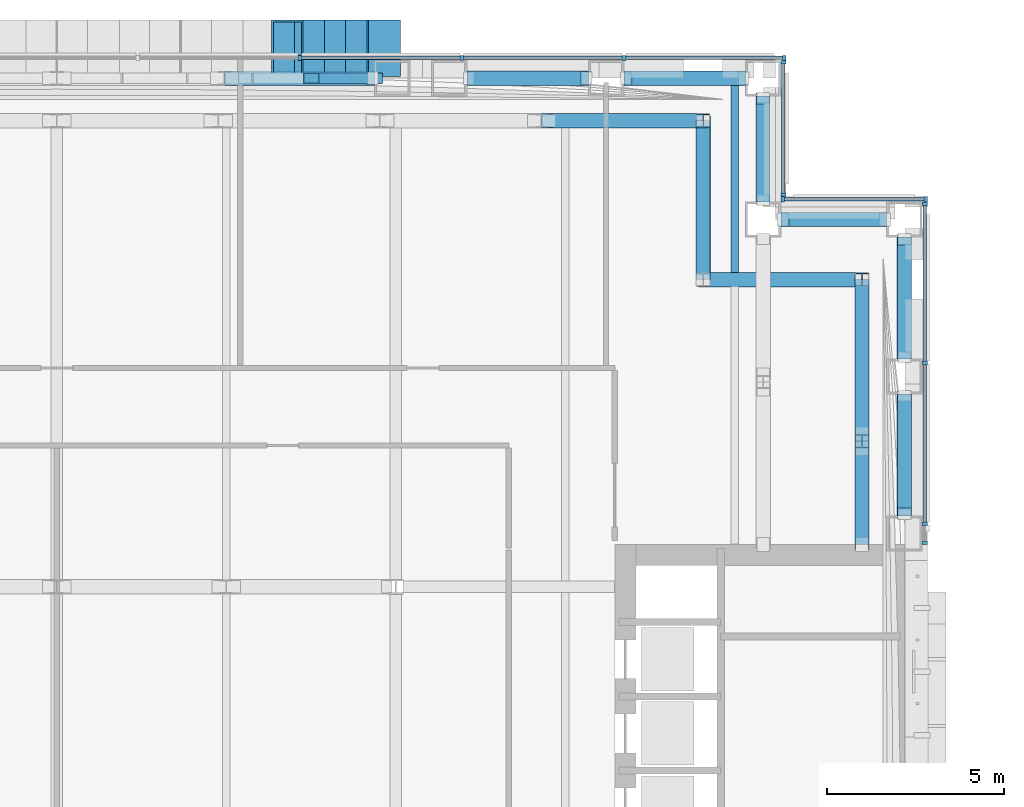
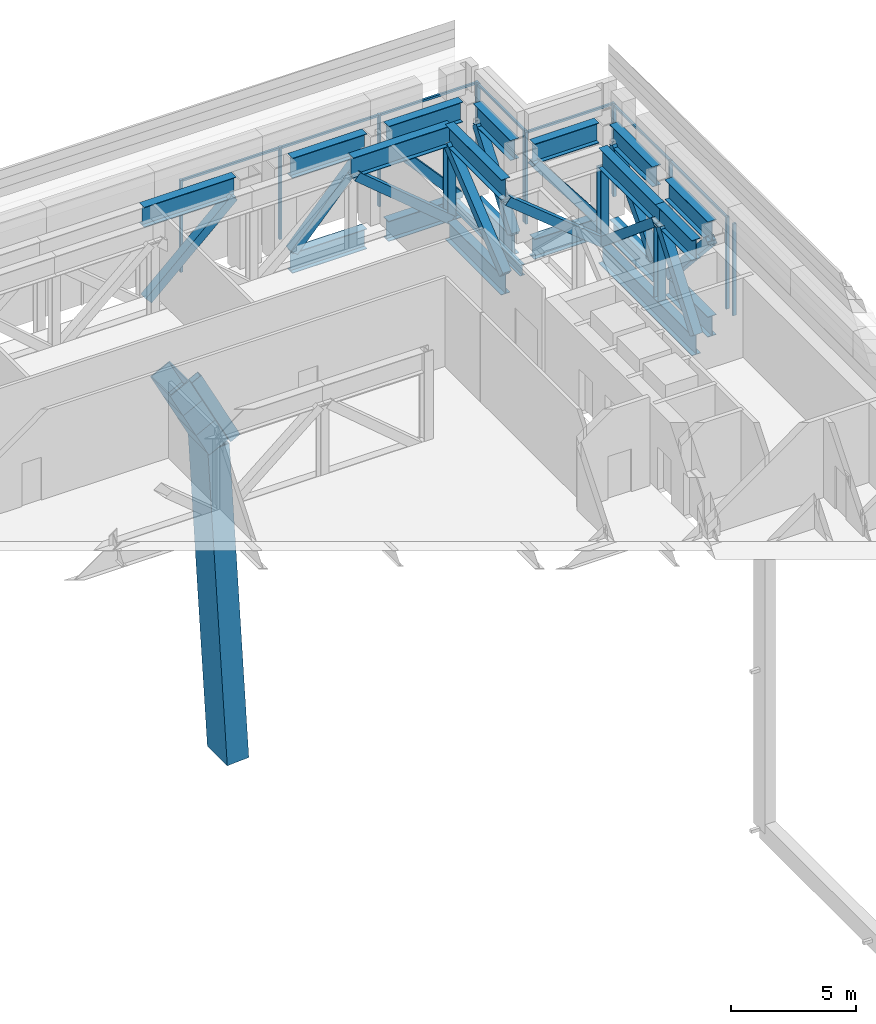
# One storey, part 10 of 39: 57 members, 2 beams, 4 elements without a shape of their own.
"""IFC4 building model written with IfcOpenShell, lengths in metres."""

from ifc_helpers import new_model, si_unit, direction, frame, origin, origin_2d, place, context, subcontext, project, spatial, rectangle, hollow_rectangle, i_section, extrude, material, material_profile, profile_set, type_object, element, aggregate, save


model = new_model("IFC4")

# Units and contexts
model_context = context("Model", 3, precision=1e-05, world=origin(), true_north=direction((0.0, 1.0)))
body_context = subcontext(model_context, "Body", "Model", "MODEL_VIEW")
ifc_project = project(units=[si_unit("LENGTHUNIT", "METRE"), si_unit("AREAUNIT", "SQUARE_METRE"), si_unit("VOLUMEUNIT", "CUBIC_METRE"), si_unit("PLANEANGLEUNIT", "RADIAN"), si_unit("MASSUNIT", "GRAM", prefix="KILO")], contexts=[model_context])

# Site, building, storey
site_placement = place(None, origin())
site = spatial("IfcSite", under=ifc_project, at=site_placement, CompositionType="ELEMENT")
building_placement = place(site_placement, origin())
building = spatial("IfcBuilding", under=site, at=building_placement, Name="Cobrizo Arcos Hotel Tower", CompositionType="ELEMENT")
storey_placement = place(building_placement, frame((0.0, 0.0, 84.5)))
storey = spatial("IfcBuildingStorey", under=building, at=storey_placement, Name="L20", CompositionType="ELEMENT", Elevation=84.5)

# Beam
ifc_material_1 = material(Name="Steel ASTM A572 Grade 50", Category="steel")
ifc_material_profile_1 = material_profile(ifc_material_1, hollow_rectangle(XDim=0.300048828125, YDim=0.5, WallThickness=0.02001953125, at=origin_2d()), Name="BOX 300X500X20")
ifc_profile_set_1 = profile_set([ifc_material_profile_1], Name="Steel ASTM A572 Grade 50")
beam_type_1 = type_object("IfcBeamType", Name="BOX 300X500X20 arch rib", PredefinedType="BEAM", material=ifc_profile_set_1)
beam_1_placement = place(storey_placement, frame((7.199951171875, 24.0, -4.9462890625), z_axis=(0.455923660176, 0.0, -0.890018885245), x_axis=(0.0, 1.0, 0.0)))
element("IfcBeam", 1, at=beam_1_placement, inside=storey, type_object=beam_type_1, Name="Arch rib AR1, arch A, north face, no. 10", PredefinedType="BEAM", context=body_context, shape_type="SweptSolid", body=[
    extrude(hollow_rectangle(XDim=0.300048828125, YDim=0.5, WallThickness=0.02001953125, at=origin_2d()), origin(), (0.0, 0.0, 1.0), 3.9482421875),
])

# Curtain wall, members
ifc_material_2 = material(Name="Aluminium 6063-T6 anodised bronze", Category="aluminium")
curtain_wall_type = type_object("IfcCurtainWallType", Name="CW-D plant louvre wall", PredefinedType="NOTDEFINED", material=ifc_material_2)
curtain_wall_1_placement = place(storey_placement, origin())
curtain_wall_1 = element("IfcCurtainWall", 2, at=curtain_wall_1_placement, inside=storey, type_object=curtain_wall_type, Name="CW-D L20 E face", PredefinedType="NOTDEFINED")
ifc_material_profile_2 = material_profile(ifc_material_2, rectangle(XDim=0.14990234375, YDim=0.10009765625, at=origin_2d()), Name="CW-D mullion 150x100")
ifc_profile_set_2 = profile_set([ifc_material_profile_2], Name="Aluminium 6063-T6 anodised bronze")
member_type_1 = type_object("IfcMemberType", Name="CW-D mullion 150x100", PredefinedType="MULLION", material=ifc_profile_set_2)
member_1_placement = place(storey_placement, frame((24.574951171875, 10.85009765625, 0.0), z_axis=(0.0, 0.0, 1.0), x_axis=(1.0, 0.0, 0.0)))
member_1 = element("IfcMember", 3, at=member_1_placement, type_object=member_type_1, Name="CW-D mullion 1", PredefinedType="MULLION", context=body_context, shape_type="SweptSolid", body=[
    extrude(rectangle(XDim=0.14990234375, YDim=0.10009765625, at=origin_2d()), origin(), (0.0, 0.0, 1.0), 4.5),
])
member_2_placement = place(storey_placement, frame((24.574951171875, 11.388916015625, 0.0), z_axis=(0.0, 0.0, 1.0), x_axis=(1.0, 0.0, 0.0)))
member_2 = element("IfcMember", 4, at=member_2_placement, type_object=member_type_1, Name="CW-D mullion 2", PredefinedType="MULLION", context=body_context, shape_type="SweptSolid", body=[
    extrude(rectangle(XDim=0.14990234375, YDim=0.10009765625, at=origin_2d()), origin(), (0.0, 0.0, 1.0), 4.5),
])
member_3_placement = place(storey_placement, frame((24.574951171875, 15.9443359375, 0.0), z_axis=(0.0, 0.0, 1.0), x_axis=(1.0, 0.0, 0.0)))
member_3 = element("IfcMember", 5, at=member_3_placement, type_object=member_type_1, Name="CW-D mullion 3", PredefinedType="MULLION", context=body_context, shape_type="SweptSolid", body=[
    extrude(rectangle(XDim=0.14990234375, YDim=0.10009765625, at=origin_2d()), origin(), (0.0, 0.0, 1.0), 4.5),
])
member_4_placement = place(storey_placement, frame((24.574951171875, 20.449951171875, 0.0), z_axis=(0.0, 0.0, 1.0), x_axis=(1.0, 0.0, 0.0)))
member_4 = element("IfcMember", 6, at=member_4_placement, type_object=member_type_1, Name="CW-D mullion 4", PredefinedType="MULLION", context=body_context, shape_type="SweptSolid", body=[
    extrude(rectangle(XDim=0.14990234375, YDim=0.10009765625, at=origin_2d()), origin(), (0.0, 0.0, 1.0), 4.5),
])

curtain_wall_2_placement = place(storey_placement, origin())
curtain_wall_2 = element("IfcCurtainWall", 7, at=curtain_wall_2_placement, inside=storey, type_object=curtain_wall_type, Name="CW-D L20 N face", PredefinedType="NOTDEFINED")
member_5_placement = place(storey_placement, frame((24.60009765625, 20.574951171875, 0.0), z_axis=(0.0, 0.0, 1.0), x_axis=(0.0, 1.0, 0.0)))
member_5 = element("IfcMember", 8, at=member_5_placement, type_object=member_type_1, Name="CW-D mullion 1", PredefinedType="MULLION", context=body_context, shape_type="SweptSolid", body=[
    extrude(rectangle(XDim=0.14990234375, YDim=0.10009765625, at=origin_2d()), origin(), (0.0, 0.0, 1.0), 4.5),
])
member_6_placement = place(storey_placement, frame((20.550048828125, 20.574951171875, 0.0), z_axis=(0.0, 0.0, 1.0), x_axis=(0.0, 1.0, 0.0)))
member_6 = element("IfcMember", 9, at=member_6_placement, type_object=member_type_1, Name="CW-D mullion 2", PredefinedType="MULLION", context=body_context, shape_type="SweptSolid", body=[
    extrude(rectangle(XDim=0.14990234375, YDim=0.10009765625, at=origin_2d()), origin(), (0.0, 0.0, 1.0), 4.5),
])

curtain_wall_3_placement = place(storey_placement, origin())
curtain_wall_3 = element("IfcCurtainWall", 10, at=curtain_wall_3_placement, inside=storey, type_object=curtain_wall_type, Name="CW-D L20 E face", PredefinedType="NOTDEFINED")
member_7_placement = place(storey_placement, frame((20.574951171875, 20.699951171875, 0.0), z_axis=(0.0, 0.0, 1.0), x_axis=(1.0, 0.0, 0.0)))
member_7 = element("IfcMember", 11, at=member_7_placement, type_object=member_type_1, Name="CW-D mullion 1", PredefinedType="MULLION", context=body_context, shape_type="SweptSolid", body=[
    extrude(rectangle(XDim=0.14990234375, YDim=0.10009765625, at=origin_2d()), origin(), (0.0, 0.0, 1.0), 4.5),
])
member_8_placement = place(storey_placement, frame((20.574951171875, 24.449951171875, 0.0), z_axis=(0.0, 0.0, 1.0), x_axis=(1.0, 0.0, 0.0)))
member_8 = element("IfcMember", 12, at=member_8_placement, type_object=member_type_1, Name="CW-D mullion 2", PredefinedType="MULLION", context=body_context, shape_type="SweptSolid", body=[
    extrude(rectangle(XDim=0.14990234375, YDim=0.10009765625, at=origin_2d()), origin(), (0.0, 0.0, 1.0), 4.5),
])

curtain_wall_4_placement = place(storey_placement, origin())
curtain_wall_4 = element("IfcCurtainWall", 13, at=curtain_wall_4_placement, inside=storey, type_object=curtain_wall_type, Name="CW-D L20 N face", PredefinedType="NOTDEFINED")
member_9_placement = place(storey_placement, frame((20.60009765625, 24.574951171875, 0.0), z_axis=(0.0, 0.0, 1.0), x_axis=(0.0, 1.0, 0.0)))
member_9 = element("IfcMember", 14, at=member_9_placement, type_object=member_type_1, Name="CW-D mullion 1", PredefinedType="MULLION", context=body_context, shape_type="SweptSolid", body=[
    extrude(rectangle(XDim=0.14990234375, YDim=0.10009765625, at=origin_2d()), origin(), (0.0, 0.0, 1.0), 4.5),
])
member_10_placement = place(storey_placement, frame((16.06103515625, 24.574951171875, 0.0), z_axis=(0.0, 0.0, 1.0), x_axis=(0.0, 1.0, 0.0)))
member_10 = element("IfcMember", 15, at=member_10_placement, type_object=member_type_1, Name="CW-D mullion 2", PredefinedType="MULLION", context=body_context, shape_type="SweptSolid", body=[
    extrude(rectangle(XDim=0.14990234375, YDim=0.10009765625, at=origin_2d()), origin(), (0.0, 0.0, 1.0), 4.5),
])
member_11_placement = place(storey_placement, frame((11.47216796875, 24.574951171875, 0.0), z_axis=(0.0, 0.0, 1.0), x_axis=(0.0, 1.0, 0.0)))
member_11 = element("IfcMember", 16, at=member_11_placement, type_object=member_type_1, Name="CW-D mullion 3", PredefinedType="MULLION", context=body_context, shape_type="SweptSolid", body=[
    extrude(rectangle(XDim=0.14990234375, YDim=0.10009765625, at=origin_2d()), origin(), (0.0, 0.0, 1.0), 4.5),
])
member_12_placement = place(storey_placement, frame((6.88330078125, 24.574951171875, 0.0), z_axis=(0.0, 0.0, 1.0), x_axis=(0.0, 1.0, 0.0)))
member_12 = element("IfcMember", 17, at=member_12_placement, type_object=member_type_1, Name="CW-D mullion 4", PredefinedType="MULLION", context=body_context, shape_type="SweptSolid", body=[
    extrude(rectangle(XDim=0.14990234375, YDim=0.10009765625, at=origin_2d()), origin(), (0.0, 0.0, 1.0), 4.5),
])

# Member
ifc_material_profile_3 = material_profile(ifc_material_2, rectangle(XDim=0.10009765625, YDim=0.10009765625, at=origin_2d()), Name="CW-D transom 100x100")
ifc_profile_set_3 = profile_set([ifc_material_profile_3], Name="Aluminium 6063-T6 anodised bronze")
member_type_2 = type_object("IfcMemberType", Name="CW-D transom 100x100", PredefinedType="USERDEFINED", material=ifc_profile_set_3)
member_13_placement = place(storey_placement, frame((24.574951171875, 11.43896484375, 4.449951171875), z_axis=(0.0, 1.0, 0.0), x_axis=(-1.0, 0.0, 0.0)))
member_13 = element("IfcMember", 18, at=member_13_placement, type_object=member_type_2, Name="CW-D transom 828", ObjectType="TRANSOM", PredefinedType="USERDEFINED", context=body_context, shape_type="SweptSolid", body=[
    extrude(rectangle(XDim=0.10009765625, YDim=0.10009765625, at=origin_2d()), origin(), (0.0, 0.0, 1.0), 4.45556640625),
])

member_14_placement = place(storey_placement, frame((24.574951171875, 15.994384765625, 4.449951171875), z_axis=(0.0, 1.0, 0.0), x_axis=(-1.0, 0.0, 0.0)))
member_14 = element("IfcMember", 19, at=member_14_placement, type_object=member_type_2, Name="CW-D transom 829", ObjectType="TRANSOM", PredefinedType="USERDEFINED", context=body_context, shape_type="SweptSolid", body=[
    extrude(rectangle(XDim=0.10009765625, YDim=0.10009765625, at=origin_2d()), origin(), (0.0, 0.0, 1.0), 4.405517578125),
])

aggregate(curtain_wall_1, [member_1, member_2, member_3, member_4, member_13, member_14])

member_15_placement = place(storey_placement, frame((24.550048828125, 20.574951171875, 4.449951171875), z_axis=(-1.0, 0.0, 0.0), x_axis=(0.0, -1.0, 0.0)))
member_15 = element("IfcMember", 20, at=member_15_placement, type_object=member_type_2, Name="CW-D transom 830", ObjectType="TRANSOM", PredefinedType="USERDEFINED", context=body_context, shape_type="SweptSolid", body=[
    extrude(rectangle(XDim=0.10009765625, YDim=0.10009765625, at=origin_2d()), origin(), (0.0, 0.0, 1.0), 3.949951171875),
])

aggregate(curtain_wall_2, [member_5, member_6, member_15])

member_16_placement = place(storey_placement, frame((20.574951171875, 20.75, 4.449951171875), z_axis=(0.0, 1.0, 0.0), x_axis=(-1.0, 0.0, 0.0)))
member_16 = element("IfcMember", 21, at=member_16_placement, type_object=member_type_2, Name="CW-D transom 831", ObjectType="TRANSOM", PredefinedType="USERDEFINED", context=body_context, shape_type="SweptSolid", body=[
    extrude(rectangle(XDim=0.10009765625, YDim=0.10009765625, at=origin_2d()), origin(), (0.0, 0.0, 1.0), 3.64990234375),
])

aggregate(curtain_wall_3, [member_7, member_8, member_16])

member_17_placement = place(storey_placement, frame((20.550048828125, 24.574951171875, 4.449951171875), z_axis=(-1.0, 0.0, 0.0), x_axis=(0.0, -1.0, 0.0)))
member_17 = element("IfcMember", 22, at=member_17_placement, type_object=member_type_2, Name="CW-D transom 832", ObjectType="TRANSOM", PredefinedType="USERDEFINED", context=body_context, shape_type="SweptSolid", body=[
    extrude(rectangle(XDim=0.10009765625, YDim=0.10009765625, at=origin_2d()), origin(), (0.0, 0.0, 1.0), 4.43896484375),
])

member_18_placement = place(storey_placement, frame((16.01123046875, 24.574951171875, 4.449951171875), z_axis=(-1.0, 0.0, 0.0), x_axis=(0.0, -1.0, 0.0)))
member_18 = element("IfcMember", 23, at=member_18_placement, type_object=member_type_2, Name="CW-D transom 833", ObjectType="TRANSOM", PredefinedType="USERDEFINED", context=body_context, shape_type="SweptSolid", body=[
    extrude(rectangle(XDim=0.10009765625, YDim=0.10009765625, at=origin_2d()), origin(), (0.0, 0.0, 1.0), 4.489013671875),
])

member_19_placement = place(storey_placement, frame((11.422119140625, 24.574951171875, 4.449951171875), z_axis=(-1.0, 0.0, 0.0), x_axis=(0.0, -1.0, 0.0)))
member_19 = element("IfcMember", 24, at=member_19_placement, type_object=member_type_2, Name="CW-D transom 834", ObjectType="TRANSOM", PredefinedType="USERDEFINED", context=body_context, shape_type="SweptSolid", body=[
    extrude(rectangle(XDim=0.10009765625, YDim=0.10009765625, at=origin_2d()), origin(), (0.0, 0.0, 1.0), 4.48876953125),
])

aggregate(curtain_wall_4, [member_9, member_10, member_11, member_12, member_17, member_18, member_19])

# Members
ifc_material_3 = material(Name="Steel ASTM A500 Grade C", Category="steel")
ifc_material_profile_4 = material_profile(ifc_material_3, hollow_rectangle(XDim=0.406494140625, YDim=0.406494140625, WallThickness=0.014892578125, at=origin_2d()), Name="HSS16X16X5/8")
ifc_profile_set_4 = profile_set([ifc_material_profile_4], Name="Steel ASTM A500 Grade C")
member_type_3 = type_object("IfcMemberType", Name="HSS16X16X5/8 truss diagonal", PredefinedType="BRACE", material=ifc_profile_set_4)
member_20_placement = place(storey_placement, frame((24.0, 11.69091796875, 3.359375), z_axis=(0.0, 0.668028893094, -0.744135335804), x_axis=(-1.0, 0.0, 0.0)))
element("IfcMember", 25, at=member_20_placement, inside=storey, type_object=member_type_3, Name="Belt truss diagonal TD1, L20, no. 013", PredefinedType="BRACE", context=body_context, shape_type="SweptSolid", body=[
    extrude(hollow_rectangle(XDim=0.406494140625, YDim=0.406494140625, WallThickness=0.014892578125, at=origin_2d()), origin(), (0.0, 0.0, 1.0), 4.917724609375),
])
member_21_placement = place(storey_placement, frame((24.0, 16.135986328125, -0.300048828125), z_axis=(0.0, 0.667891406246, 0.744258738251), x_axis=(-1.0, 0.0, 0.0)))
element("IfcMember", 26, at=member_21_placement, inside=storey, type_object=member_type_3, Name="Belt truss diagonal TD1, L20, no. 014", PredefinedType="BRACE", context=body_context, shape_type="SweptSolid", body=[
    extrude(hollow_rectangle(XDim=0.406494140625, YDim=0.406494140625, WallThickness=0.014892578125, at=origin_2d()), origin(), (0.0, 0.0, 1.0), 4.9169921875),
])
for number, where, z_axis, x_axis, name in (
    (27, (23.419921875, 20.0, -0.300048828125), (-0.613082755999, 0.0, 0.790018692372), (0.0, -1.0, 0.0), "Belt truss diagonal TD1, L20, no. 015"),
    (28, (20.0, 20.580078125, -0.300048828125), (0.0, 0.613082755999, 0.790018692372), (-1.0, 0.0, 0.0), "Belt truss diagonal TD1, L20, no. 016"),
):
    element("IfcMember", number, at=place(storey_placement, frame(where, z_axis=z_axis, x_axis=x_axis)), inside=storey, type_object=member_type_3, Name=name, PredefinedType="BRACE", context=body_context, shape_type="SweptSolid", body=[
        extrude(hollow_rectangle(XDim=0.406494140625, YDim=0.406494140625, WallThickness=0.014892578125, at=origin_2d()), origin(), (0.0, 0.0, 1.0), 4.632080078125),
    ])
member_22_placement = place(storey_placement, frame((19.419921875, 24.0, -0.300048828125), z_axis=(-0.667891406246, 0.0, 0.744258738251), x_axis=(0.0, -1.0, 0.0)))
element("IfcMember", 29, at=member_22_placement, inside=storey, type_object=member_type_3, Name="Belt truss diagonal TD1, L20, no. 017", PredefinedType="BRACE", context=body_context, shape_type="SweptSolid", body=[
    extrude(hollow_rectangle(XDim=0.406494140625, YDim=0.406494140625, WallThickness=0.014892578125, at=origin_2d()), origin(), (0.0, 0.0, 1.0), 4.9169921875),
])
member_23_placement = place(storey_placement, frame((14.97607421875, 24.0, 3.359375), z_axis=(-0.668028893094, 0.0, -0.744135335804), x_axis=(0.0, -1.0, 0.0)))
element("IfcMember", 30, at=member_23_placement, inside=storey, type_object=member_type_3, Name="Belt truss diagonal TD1, L20, no. 018", PredefinedType="BRACE", context=body_context, shape_type="SweptSolid", body=[
    extrude(hollow_rectangle(XDim=0.406494140625, YDim=0.406494140625, WallThickness=0.014892578125, at=origin_2d()), origin(), (0.0, 0.0, 1.0), 4.917724609375),
])
member_24_placement = place(storey_placement, frame((8.919921875, 24.0, 3.359375), z_axis=(-0.735279996006, 0.0, -0.677763474579), x_axis=(0.0, -1.0, 0.0)))
element("IfcMember", 31, at=member_24_placement, inside=storey, type_object=member_type_3, Name="Belt truss diagonal TD1, L20, no. 019", PredefinedType="BRACE", context=body_context, shape_type="SweptSolid", body=[
    extrude(hollow_rectangle(XDim=0.406494140625, YDim=0.406494140625, WallThickness=0.014892578125, at=origin_2d()), origin(), (0.0, 0.0, 1.0), 5.399169921875),
])
member_25_placement = place(storey_placement, frame((22.800048828125, 10.801025390625, -0.300048828125), z_axis=(0.0, 0.597093268224, 0.802171820149), x_axis=(-1.0, 0.0, 0.0)))
element("IfcMember", 32, at=member_25_placement, inside=storey, type_object=member_type_3, Name="Belt truss diagonal TD1, L20, no. 045", PredefinedType="BRACE", context=body_context, shape_type="SweptSolid", body=[
    extrude(hollow_rectangle(XDim=0.406494140625, YDim=0.406494140625, WallThickness=0.014892578125, at=origin_2d()), origin(), (0.0, 0.0, 1.0), 4.56201171875),
])
member_26_placement = place(storey_placement, frame((22.800048828125, 13.925048828125, 3.359375), z_axis=(0.0, 0.767048144643, -0.641589544646), x_axis=(-1.0, 0.0, 0.0)))
element("IfcMember", 33, at=member_26_placement, inside=storey, type_object=member_type_3, Name="Belt truss diagonal TD1, L20, no. 046", PredefinedType="BRACE", context=body_context, shape_type="SweptSolid", body=[
    extrude(hollow_rectangle(XDim=0.406494140625, YDim=0.406494140625, WallThickness=0.014892578125, at=origin_2d()), origin(), (0.0, 0.0, 1.0), 5.70361328125),
])
for number, where, z_axis, x_axis, name in (
    (34, (22.800048828125, 18.300048828125, -0.300048828125), (-0.775846123764, 0.0, 0.630922176057), (0.0, -1.0, 0.0), "Belt truss diagonal TD1, L20, no. 047"),
    (35, (18.300048828125, 18.300048828125, -0.300048828125), (0.0, 0.775846123764, 0.630922176057), (-1.0, 0.0, 0.0), "Belt truss diagonal TD1, L20, no. 048"),
):
    element("IfcMember", number, at=place(storey_placement, frame(where, z_axis=z_axis, x_axis=x_axis)), inside=storey, type_object=member_type_3, Name=name, PredefinedType="BRACE", context=body_context, shape_type="SweptSolid", body=[
        extrude(hollow_rectangle(XDim=0.406494140625, YDim=0.406494140625, WallThickness=0.014892578125, at=origin_2d()), origin(), (0.0, 0.0, 1.0), 5.800048828125),
    ])
member_27_placement = place(storey_placement, frame((18.300048828125, 22.800048828125, -0.300048828125), z_axis=(-0.767048144643, 0.0, 0.641589544646), x_axis=(0.0, -1.0, 0.0)))
element("IfcMember", 36, at=member_27_placement, inside=storey, type_object=member_type_3, Name="Belt truss diagonal TD1, L20, no. 049", PredefinedType="BRACE", context=body_context, shape_type="SweptSolid", body=[
    extrude(hollow_rectangle(XDim=0.406494140625, YDim=0.406494140625, WallThickness=0.014892578125, at=origin_2d()), origin(), (0.0, 0.0, 1.0), 5.70361328125),
])
ifc_material_4 = material(Name="Steel ASTM A572 Grade 50 verdigris painted", Category="steel")
ifc_material_profile_5 = material_profile(ifc_material_4, hollow_rectangle(XDim=1.60009765625, YDim=1.0, WallThickness=0.050048828125, at=origin_2d()), Name="PF-2 arch ring frame box 1600x1000x50")
ifc_profile_set_5 = profile_set([ifc_material_profile_5], Name="Steel ASTM A572 Grade 50 verdigris painted")
member_type_4 = type_object("IfcMemberType", Name="PF-2 arch ring frame box 1600x1000x50", PredefinedType="USERDEFINED", material=ifc_profile_set_5)
member_28_placement = place(storey_placement, frame((6.532470703125, 24.85009765625, -5.2880859375), z_axis=(0.455872286365, 0.0, -0.89004520027), x_axis=(0.0, 1.0, 0.0)))
element("IfcMember", 37, at=member_28_placement, inside=storey, type_object=member_type_4, Name="A ring frame lintel N20", ObjectType="PORTAL FRAME", PredefinedType="USERDEFINED", context=body_context, shape_type="SweptSolid", body=[
    extrude(hollow_rectangle(XDim=1.60009765625, YDim=1.0, WallThickness=0.050048828125, at=origin_2d()), origin(), (0.0, 0.0, 1.0), 1.31640625),
])
member_29_placement = place(storey_placement, frame((7.132568359375, 24.85009765625, -6.459716796875), z_axis=(0.455875869806, 0.0, -0.890043364859), x_axis=(0.0, 1.0, 0.0)))
element("IfcMember", 38, at=member_29_placement, inside=storey, type_object=member_type_4, Name="A ring frame lintel N21", ObjectType="PORTAL FRAME", PredefinedType="USERDEFINED", context=body_context, shape_type="SweptSolid", body=[
    extrude(hollow_rectangle(XDim=1.60009765625, YDim=1.0, WallThickness=0.050048828125, at=origin_2d()), origin(), (0.0, 0.0, 1.0), 1.31591796875),
])
member_30_placement = place(storey_placement, frame((7.732421875, 24.85009765625, -7.630859375), z_axis=(0.455947548902, 0.0, -0.890006647531), x_axis=(0.0, 1.0, 0.0)))
element("IfcMember", 39, at=member_30_placement, inside=storey, type_object=member_type_4, Name="A ring frame lintel N22", ObjectType="PORTAL FRAME", PredefinedType="USERDEFINED", context=body_context, shape_type="SweptSolid", body=[
    extrude(hollow_rectangle(XDim=1.60009765625, YDim=1.0, WallThickness=0.050048828125, at=origin_2d()), origin(), (0.0, 0.0, 1.0), 1.316162109375),
])
member_31_placement = place(storey_placement, frame((9.232421875, 24.85009765625, -24.5), z_axis=(-0.057232855112, 0.0, 0.998360856753), x_axis=(0.0, -1.0, 0.0)))
element("IfcMember", 40, at=member_31_placement, inside=storey, type_object=member_type_4, Name="A ring frame post NE", ObjectType="PORTAL FRAME", PredefinedType="USERDEFINED", context=body_context, shape_type="SweptSolid", body=[
    extrude(hollow_rectangle(XDim=1.60009765625, YDim=1.0, WallThickness=0.050048828125, at=origin_2d()), origin(), (0.0, 0.0, 1.0), 15.7236328125),
])
ifc_material_5 = material(Name="Steel ASTM A992 Grade 50", Category="steel")
ifc_material_profile_6 = material_profile(ifc_material_5, i_section(OverallWidth=0.373291015625, OverallDepth=0.373291015625, WebThickness=0.016357421875, FlangeThickness=0.026123046875, at=origin_2d()), Name="W14X132")
ifc_profile_set_6 = profile_set([ifc_material_profile_6], Name="Steel ASTM A992 Grade 50")
member_type_5 = type_object("IfcMemberType", Name="W14X132 truss post", PredefinedType="POST", material=ifc_profile_set_6)
for number, where, z_axis, x_axis, name in (
    (41, (22.800048828125, 13.72509765625, -0.300048828125), (0.0, 0.0, 1.0), (1.0, 0.0, 0.0), "Truss post TP1, L20, no. 019"),
    (42, (22.800048828125, 18.300048828125, -0.300048828125), (0.0, 0.0, 1.0), (1.0, 0.0, 0.0), "Truss post TP1, L20, no. 020"),
    (43, (18.300048828125, 22.800048828125, -0.300048828125), (0.0, 0.0, 1.0), (1.0, 0.0, 0.0), "Truss post TP1, L20, no. 022"),
):
    element("IfcMember", number, at=place(storey_placement, frame(where, z_axis=z_axis, x_axis=x_axis)), inside=storey, type_object=member_type_5, Name=name, PredefinedType="POST", context=body_context, shape_type="SweptSolid", body=[
        extrude(i_section(OverallWidth=0.373291015625, OverallDepth=0.373291015625, WebThickness=0.016357421875, FlangeThickness=0.026123046875, at=origin_2d()), origin(), (0.0, 0.0, 1.0), 3.659423828125),
    ])

# Beam
ifc_material_profile_7 = material_profile(ifc_material_5, i_section(OverallWidth=0.209228515625, OverallDepth=0.533447265625, WebThickness=0.01025390625, FlangeThickness=0.015625, at=origin_2d()), Name="W21X62")
ifc_profile_set_7 = profile_set([ifc_material_profile_7], Name="Steel ASTM A992 Grade 50")
beam_type_2 = type_object("IfcBeamType", Name="W21X62 joist", PredefinedType="JOIST", material=ifc_profile_set_7)
beam_2_placement = place(storey_placement, frame((19.199951171875, 18.50048828125, -0.566650390625), z_axis=(0.0, 1.0, 0.0), x_axis=(-1.0, 0.0, 0.0)))
element("IfcBeam", 44, at=beam_2_placement, inside=storey, type_object=beam_type_2, Name="Floor joist J1, L20, no. 024", PredefinedType="JOIST", context=body_context, shape_type="SweptSolid", body=[
    extrude(i_section(OverallWidth=0.209228515625, OverallDepth=0.533447265625, WebThickness=0.01025390625, FlangeThickness=0.015625, at=origin_2d()), origin(), (0.0, 0.0, 1.0), 5.299072265625),
])

# Members
ifc_material_profile_8 = material_profile(ifc_material_5, i_section(OverallWidth=0.4013671875, OverallDepth=0.990478515625, WebThickness=0.0166015625, FlangeThickness=0.025390625, at=origin_2d()), Name="W40X215")
ifc_profile_set_8 = profile_set([ifc_material_profile_8], Name="Steel ASTM A992 Grade 50")
member_type_6 = type_object("IfcMemberType", Name="W40X215 belt truss chord", PredefinedType="CHORD", material=ifc_profile_set_8)
member_32_placement = place(storey_placement, frame((24.0, 11.611083984375, -0.79541015625), z_axis=(0.0, 1.0, 0.0), x_axis=(-1.0, 0.0, 0.0)))
element("IfcMember", 45, at=member_32_placement, inside=storey, type_object=member_type_6, Name="Belt truss bottom chord TC1, L20, no. 010", PredefinedType="CHORD", context=body_context, shape_type="SweptSolid", body=[
    extrude(i_section(OverallWidth=0.4013671875, OverallDepth=0.990478515625, WebThickness=0.0166015625, FlangeThickness=0.025390625, at=origin_2d()), origin(), (0.0, 0.0, 1.0), 3.44482421875),
])
member_33_placement = place(storey_placement, frame((24.0, 16.055908203125, -0.79541015625), z_axis=(0.0, 1.0, 0.0), x_axis=(-1.0, 0.0, 0.0)))
element("IfcMember", 46, at=member_33_placement, inside=storey, type_object=member_type_6, Name="Belt truss bottom chord TC1, L20, no. 011", PredefinedType="CHORD", context=body_context, shape_type="SweptSolid", body=[
    extrude(i_section(OverallWidth=0.4013671875, OverallDepth=0.990478515625, WebThickness=0.0166015625, FlangeThickness=0.025390625, at=origin_2d()), origin(), (0.0, 0.0, 1.0), 3.444091796875),
])
member_34_placement = place(storey_placement, frame((24.0, 11.611083984375, 3.854736328125), z_axis=(0.0, 1.0, 0.0), x_axis=(-1.0, 0.0, 0.0)))
element("IfcMember", 47, at=member_34_placement, inside=storey, type_object=member_type_6, Name="Belt truss top chord TC1, L20, no. 013", PredefinedType="CHORD", context=body_context, shape_type="SweptSolid", body=[
    extrude(i_section(OverallWidth=0.4013671875, OverallDepth=0.990478515625, WebThickness=0.0166015625, FlangeThickness=0.025390625, at=origin_2d()), origin(), (0.0, 0.0, 1.0), 3.44482421875),
])
member_35_placement = place(storey_placement, frame((24.0, 16.055908203125, 3.854736328125), z_axis=(0.0, 1.0, 0.0), x_axis=(-1.0, 0.0, 0.0)))
element("IfcMember", 48, at=member_35_placement, inside=storey, type_object=member_type_6, Name="Belt truss top chord TC1, L20, no. 014", PredefinedType="CHORD", context=body_context, shape_type="SweptSolid", body=[
    extrude(i_section(OverallWidth=0.4013671875, OverallDepth=0.990478515625, WebThickness=0.0166015625, FlangeThickness=0.025390625, at=origin_2d()), origin(), (0.0, 0.0, 1.0), 3.444091796875),
])
for number, where, z_axis, x_axis, name in (
    (49, (23.5, 20.0, -0.79541015625), (-1.0, 0.0, 0.0), (0.0, -1.0, 0.0), "Belt truss bottom chord TC1, L20, no. 012"),
    (50, (23.5, 20.0, 3.854736328125), (-1.0, 0.0, 0.0), (0.0, -1.0, 0.0), "Belt truss top chord TC1, L20, no. 015"),
    (51, (20.0, 20.5, -0.79541015625), (0.0, 1.0, 0.0), (-1.0, 0.0, 0.0), "Belt truss bottom chord TC1, L20, no. 013"),
    (52, (20.0, 20.5, 3.854736328125), (0.0, 1.0, 0.0), (-1.0, 0.0, 0.0), "Belt truss top chord TC1, L20, no. 016"),
):
    element("IfcMember", number, at=place(storey_placement, frame(where, z_axis=z_axis, x_axis=x_axis)), inside=storey, type_object=member_type_6, Name=name, PredefinedType="CHORD", context=body_context, shape_type="SweptSolid", body=[
        extrude(i_section(OverallWidth=0.4013671875, OverallDepth=0.990478515625, WebThickness=0.0166015625, FlangeThickness=0.025390625, at=origin_2d()), origin(), (0.0, 0.0, 1.0), 3.0),
    ])
member_36_placement = place(storey_placement, frame((19.5, 24.0, -0.79541015625), z_axis=(-1.0, 0.0, 0.0), x_axis=(0.0, -1.0, 0.0)))
element("IfcMember", 53, at=member_36_placement, inside=storey, type_object=member_type_6, Name="Belt truss bottom chord TC1, L20, no. 014", PredefinedType="CHORD", context=body_context, shape_type="SweptSolid", body=[
    extrude(i_section(OverallWidth=0.4013671875, OverallDepth=0.990478515625, WebThickness=0.0166015625, FlangeThickness=0.025390625, at=origin_2d()), origin(), (0.0, 0.0, 1.0), 3.444091796875),
])
member_37_placement = place(storey_placement, frame((15.055908203125, 24.0, -0.79541015625), z_axis=(-1.0, 0.0, 0.0), x_axis=(0.0, -1.0, 0.0)))
element("IfcMember", 54, at=member_37_placement, inside=storey, type_object=member_type_6, Name="Belt truss bottom chord TC1, L20, no. 015", PredefinedType="CHORD", context=body_context, shape_type="SweptSolid", body=[
    extrude(i_section(OverallWidth=0.4013671875, OverallDepth=0.990478515625, WebThickness=0.0166015625, FlangeThickness=0.025390625, at=origin_2d()), origin(), (0.0, 0.0, 1.0), 3.44482421875),
])
member_38_placement = place(storey_placement, frame((19.5, 24.0, 3.854736328125), z_axis=(-1.0, 0.0, 0.0), x_axis=(0.0, -1.0, 0.0)))
element("IfcMember", 55, at=member_38_placement, inside=storey, type_object=member_type_6, Name="Belt truss top chord TC1, L20, no. 017", PredefinedType="CHORD", context=body_context, shape_type="SweptSolid", body=[
    extrude(i_section(OverallWidth=0.4013671875, OverallDepth=0.990478515625, WebThickness=0.0166015625, FlangeThickness=0.025390625, at=origin_2d()), origin(), (0.0, 0.0, 1.0), 3.444091796875),
])
member_39_placement = place(storey_placement, frame((15.055908203125, 24.0, 3.854736328125), z_axis=(-1.0, 0.0, 0.0), x_axis=(0.0, -1.0, 0.0)))
element("IfcMember", 56, at=member_39_placement, inside=storey, type_object=member_type_6, Name="Belt truss top chord TC1, L20, no. 018", PredefinedType="CHORD", context=body_context, shape_type="SweptSolid", body=[
    extrude(i_section(OverallWidth=0.4013671875, OverallDepth=0.990478515625, WebThickness=0.0166015625, FlangeThickness=0.025390625, at=origin_2d()), origin(), (0.0, 0.0, 1.0), 3.44482421875),
])
member_40_placement = place(storey_placement, frame((9.0, 24.0, 3.854736328125), z_axis=(-1.0, 0.0, 0.0), x_axis=(0.0, -1.0, 0.0)))
element("IfcMember", 57, at=member_40_placement, inside=storey, type_object=member_type_6, Name="Belt truss top chord TC1, L20, no. 019", PredefinedType="CHORD", context=body_context, shape_type="SweptSolid", body=[
    extrude(i_section(OverallWidth=0.4013671875, OverallDepth=0.990478515625, WebThickness=0.0166015625, FlangeThickness=0.025390625, at=origin_2d()), origin(), (0.0, 0.0, 1.0), 4.25),
])
member_41_placement = place(storey_placement, frame((22.800048828125, 10.801025390625, -0.79541015625), z_axis=(0.0, 1.0, 0.0), x_axis=(-1.0, 0.0, 0.0)))
element("IfcMember", 58, at=member_41_placement, inside=storey, type_object=member_type_6, Name="Belt truss bottom chord TC1, L20, no. 031", PredefinedType="CHORD", context=body_context, shape_type="SweptSolid", body=[
    extrude(i_section(OverallWidth=0.4013671875, OverallDepth=0.990478515625, WebThickness=0.0166015625, FlangeThickness=0.025390625, at=origin_2d()), origin(), (0.0, 0.0, 1.0), 7.4990234375),
])
member_42_placement = place(storey_placement, frame((22.800048828125, 10.801025390625, 3.854736328125), z_axis=(0.0, 1.0, 0.0), x_axis=(-1.0, 0.0, 0.0)))
element("IfcMember", 59, at=member_42_placement, inside=storey, type_object=member_type_6, Name="Belt truss top chord TC1, L20, no. 045", PredefinedType="CHORD", context=body_context, shape_type="SweptSolid", body=[
    extrude(i_section(OverallWidth=0.4013671875, OverallDepth=0.990478515625, WebThickness=0.0166015625, FlangeThickness=0.025390625, at=origin_2d()), origin(), (0.0, 0.0, 1.0), 2.924072265625),
])
member_43_placement = place(storey_placement, frame((22.800048828125, 13.72509765625, 3.854736328125), z_axis=(0.0, 1.0, 0.0), x_axis=(-1.0, 0.0, 0.0)))
element("IfcMember", 60, at=member_43_placement, inside=storey, type_object=member_type_6, Name="Belt truss top chord TC1, L20, no. 046", PredefinedType="CHORD", context=body_context, shape_type="SweptSolid", body=[
    extrude(i_section(OverallWidth=0.4013671875, OverallDepth=0.990478515625, WebThickness=0.0166015625, FlangeThickness=0.025390625, at=origin_2d()), origin(), (0.0, 0.0, 1.0), 4.574951171875),
])
for number, where, z_axis, x_axis, name in (
    (61, (18.300048828125, 18.300048828125, -0.79541015625), (0.0, 1.0, 0.0), (-1.0, 0.0, 0.0), "Belt truss bottom chord TC1, L20, no. 033"),
    (62, (18.300048828125, 18.300048828125, 3.854736328125), (0.0, 1.0, 0.0), (-1.0, 0.0, 0.0), "Belt truss top chord TC1, L20, no. 048"),
):
    element("IfcMember", number, at=place(storey_placement, frame(where, z_axis=z_axis, x_axis=x_axis)), inside=storey, type_object=member_type_6, Name=name, PredefinedType="CHORD", context=body_context, shape_type="SweptSolid", body=[
        extrude(i_section(OverallWidth=0.4013671875, OverallDepth=0.990478515625, WebThickness=0.0166015625, FlangeThickness=0.025390625, at=origin_2d()), origin(), (0.0, 0.0, 1.0), 4.5),
    ])
member_44_placement = place(storey_placement, frame((18.300048828125, 22.800048828125, 3.854736328125), z_axis=(-1.0, 0.0, 0.0), x_axis=(0.0, -1.0, 0.0)))
element("IfcMember", 63, at=member_44_placement, inside=storey, type_object=member_type_6, Name="Belt truss top chord TC1, L20, no. 049", PredefinedType="CHORD", context=body_context, shape_type="SweptSolid", body=[
    extrude(i_section(OverallWidth=0.4013671875, OverallDepth=0.990478515625, WebThickness=0.0166015625, FlangeThickness=0.025390625, at=origin_2d()), origin(), (0.0, 0.0, 1.0), 4.574951171875),
])

save(model, "model.ifc")
